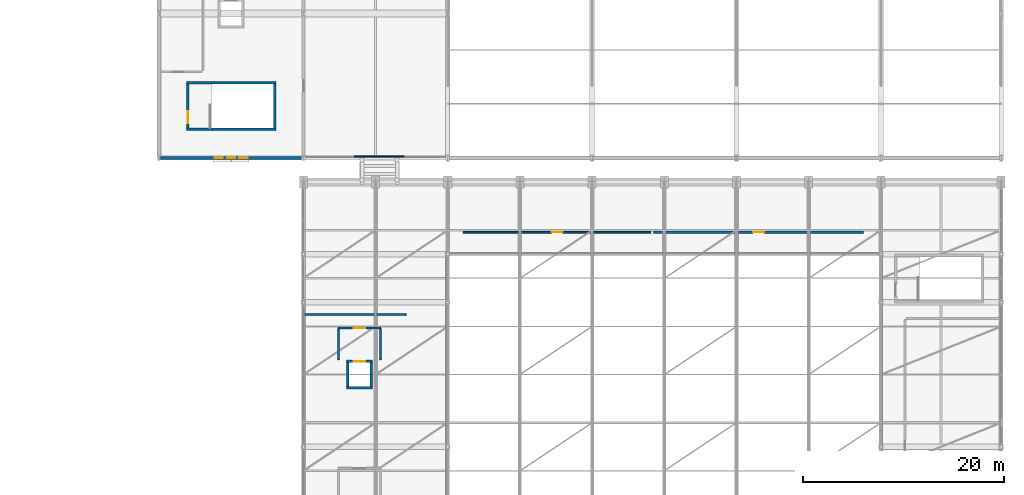
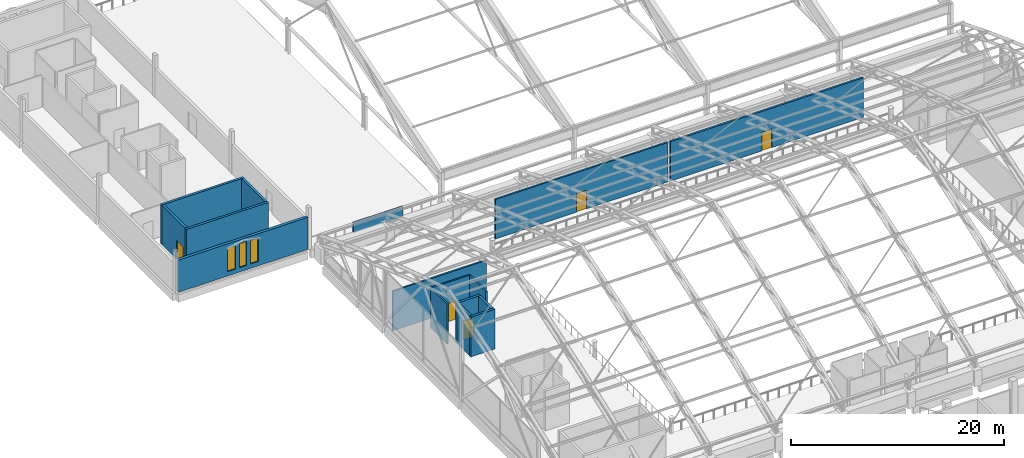
# One storey, part 94 of 116: 16 walls, 5 doors, 3 windows, 8 openings.
"""IFC4 building model written with IfcOpenShell, lengths in metres."""

from ifc_helpers import new_model, si_unit, direction, frame, frame_2d, origin, place, context, subcontext, project, spatial, rectangle, extrude, material, layer, layer_set, type_object, element, fill, save


model = new_model("IFC4")

# Units and contexts
model_context = context("Model", 3, precision=1e-05, world=origin(), true_north=direction((0.0, 1.0)))
body_context = subcontext(model_context, "Body", "Model", "MODEL_VIEW")
ifc_project = project(units=[si_unit("LENGTHUNIT", "METRE"), si_unit("AREAUNIT", "SQUARE_METRE"), si_unit("VOLUMEUNIT", "CUBIC_METRE"), si_unit("PLANEANGLEUNIT", "RADIAN"), si_unit("MASSUNIT", "GRAM", prefix="KILO")], contexts=[model_context])

# Site, building, storey
site_placement = place(None, origin())
site = spatial("IfcSite", under=ifc_project, at=site_placement, CompositionType="ELEMENT")
building_placement = place(site_placement, origin())
building = spatial("IfcBuilding", under=site, at=building_placement, Name="Cendralis Lancet Convention Centre", CompositionType="ELEMENT")
storey_placement = place(building_placement, frame((0.0, 0.0, 15.0)))
storey = spatial("IfcBuildingStorey", under=building, at=storey_placement, Name="L03", CompositionType="ELEMENT", Elevation=15.0)

# Wall
ifc_material_1 = material(Name="Buff sandstone ashlar and Concrete G40 (C40/50)", Category="masonry")
ifc_layer_1 = layer(ifc_material_1, 0.18994140625, Name="Buff sandstone ashlar and Concrete G40 (C40/50)")
ifc_layer_set_1 = layer_set([ifc_layer_1], Name="Buff sandstone ashlar and Concrete G40 (C40/50)")
wall_type_1 = type_object("IfcWallType", Name="ARC-EW-P190", PredefinedType="PARAPET", material=ifc_layer_set_1)
wall_1_placement = place(storey_placement, frame((144.10009765625, 93.75, 0.0), z_axis=(0.0, 0.0, 1.0), x_axis=(1.0, 0.0, 0.0)))
element("IfcWall", 1, at=wall_1_placement, inside=storey, type_object=wall_type_1, Name="L03 Roof Parapet Wall PR-02 #007", PredefinedType="PARAPET", context=body_context, shape_type="SweptSolid", body=[
    extrude(rectangle(XDim=5.39990234375, YDim=0.18994140625, at=frame_2d((2.699951171875, 0.0))), origin(), (0.0, 0.0, 1.0), 1.1201171875),
])

# Wall, openings, windows
ifc_layer_2 = layer(ifc_material_1, 0.300048828125, Name="Buff sandstone ashlar and Concrete G40 (C40/50)")
ifc_layer_set_2 = layer_set([ifc_layer_2], Name="Buff sandstone ashlar and Concrete G40 (C40/50)")
wall_type_2 = type_object("IfcWallType", Name="ARC-EW-W300", PredefinedType="STANDARD", material=ifc_layer_set_2)
wall_2_placement = place(storey_placement, frame((139.0419921875, 93.60009765625, 0.0), z_axis=(0.0, 0.0, 1.0), x_axis=(-1.0, 0.0, 0.0)))
wall_2 = element("IfcWall", 2, at=wall_2_placement, inside=storey, type_object=wall_type_2, Name="L03 V3 Exterior Wall EW-07 #0170", PredefinedType="STANDARD", context=body_context, shape_type="SweptSolid", body=[
    extrude(rectangle(XDim=14.083984375, YDim=0.300048828125, at=frame_2d((7.0419921875, 0.0))), origin(), (0.0, 0.0, 1.0), 3.68505859375),
])
opening_1_placement = place(wall_2_placement, frame((5.382080078125, 0.0, 0.5)))
opening_1 = element("IfcOpeningElement", 3, at=opening_1_placement, cuts=wall_2, Name="Opening WN-15", PredefinedType="OPENING", context=body_context, shape_type="SweptSolid", body=[
    extrude(rectangle(XDim=0.840087890625, YDim=2.699951171875, at=frame_2d((0.419921875, 1.35009765625))), frame((0.0, 0.159912109375, 0.0), z_axis=(0.0, -1.0, 0.0), x_axis=(1.0, 0.0, 0.0)), (0.0, 0.0, 1.0), 0.320068359375),
])
opening_2_placement = place(wall_2_placement, frame((6.64208984375, 0.0, 0.5)))
opening_2 = element("IfcOpeningElement", 4, at=opening_2_placement, cuts=wall_2, Name="Opening WN-07", PredefinedType="OPENING", context=body_context, shape_type="SweptSolid", body=[
    extrude(rectangle(XDim=0.800048828125, YDim=2.75, at=frame_2d((0.39990234375, 1.375))), frame((0.0, 0.159912109375, 0.0), z_axis=(0.0, -1.0, 0.0), x_axis=(1.0, 0.0, 0.0)), (0.0, 0.0, 1.0), 0.320068359375),
])
opening_3_placement = place(wall_2_placement, frame((7.862060546875, 0.0, 0.5)))
opening_3 = element("IfcOpeningElement", 5, at=opening_3_placement, cuts=wall_2, Name="Opening WN-15", PredefinedType="OPENING", context=body_context, shape_type="SweptSolid", body=[
    extrude(rectangle(XDim=0.840087890625, YDim=2.699951171875, at=frame_2d((0.419921875, 1.35009765625))), frame((0.0, 0.159912109375, 0.0), z_axis=(0.0, -1.0, 0.0), x_axis=(1.0, 0.0, 0.0)), (0.0, 0.0, 1.0), 0.320068359375),
])
ifc_material_2 = material(Name="Double-glazed low-E solar-control glass", Category="glass")
window_type_1 = type_object("IfcWindowType", Name="ARC-WN-LW07", PartitioningType="SINGLE_PANEL", PredefinedType="WINDOW", material=ifc_material_2)
window_1_placement = place(opening_2_placement, origin())
window_1 = element("IfcWindow", 6, at=window_1_placement, inside=storey, type_object=window_type_1, Name="Gothic Lancet Window WN-07 #0345", OverallHeight=2.75, OverallWidth=0.800048828125, PartitioningType="SINGLE_PANEL", PredefinedType="WINDOW", context=body_context, shape_type="SweptSolid", body=[
    extrude(rectangle(XDim=0.800048828125, YDim=2.75, at=frame_2d((0.39990234375, 1.375))), frame((0.0, 0.030029296875, 0.0), z_axis=(0.0, -1.0, 0.0), x_axis=(1.0, 0.0, 0.0)), (0.0, 0.0, 1.0), 0.06005859375),
])
fill(opening_2, window_1)
window_type_2 = type_object("IfcWindowType", Name="ARC-WN-LW15", PartitioningType="SINGLE_PANEL", PredefinedType="WINDOW", material=ifc_material_2)
window_2_placement = place(opening_1_placement, origin())
window_2 = element("IfcWindow", 7, at=window_2_placement, inside=storey, type_object=window_type_2, Name="Gothic Lancet Window WN-15 #0344", OverallHeight=2.699951171875, OverallWidth=0.840087890625, PartitioningType="SINGLE_PANEL", PredefinedType="WINDOW", context=body_context, shape_type="SweptSolid", body=[
    extrude(rectangle(XDim=0.840087890625, YDim=2.699951171875, at=frame_2d((0.419921875, 1.35009765625))), frame((0.0, 0.030029296875, 0.0), z_axis=(0.0, -1.0, 0.0), x_axis=(1.0, 0.0, 0.0)), (0.0, 0.0, 1.0), 0.06005859375),
])
fill(opening_1, window_2)
window_3_placement = place(opening_3_placement, origin())
window_3 = element("IfcWindow", 8, at=window_3_placement, inside=storey, type_object=window_type_2, Name="Gothic Lancet Window WN-15 #0346", OverallHeight=2.699951171875, OverallWidth=0.840087890625, PartitioningType="SINGLE_PANEL", PredefinedType="WINDOW", context=body_context, shape_type="SweptSolid", body=[
    extrude(rectangle(XDim=0.840087890625, YDim=2.699951171875, at=frame_2d((0.419921875, 1.35009765625))), frame((0.0, 0.030029296875, 0.0), z_axis=(0.0, -1.0, 0.0), x_axis=(1.0, 0.0, 0.0)), (0.0, 0.0, 1.0), 0.06005859375),
])
fill(opening_3, window_3)

# Wall, opening, door
ifc_material_3 = material(Name="Acoustic fire-rated gypsum board on steel studs", Category="steel")
ifc_layer_3 = layer(ifc_material_3, 0.179931640625, Name="Acoustic fire-rated gypsum board on steel studs")
ifc_layer_set_3 = layer_set([ifc_layer_3], Name="Acoustic fire-rated gypsum board on steel studs")
wall_type_3 = type_object("IfcWallType", Name="ARC-IW-P180", PredefinedType="PARTITIONING", material=ifc_layer_set_3)
wall_3_placement = place(storey_placement, frame((142.699951171875, 76.64990234375, 0.0), z_axis=(0.0, 0.0, 1.0), x_axis=(1.0, 0.0, 0.0)))
wall_3 = element("IfcWall", 9, at=wall_3_placement, inside=storey, type_object=wall_type_3, Name="L03 Lift Lobby LP-06 Front Wall", PredefinedType="PARTITIONING", context=body_context, shape_type="SweptSolid", body=[
    extrude(rectangle(XDim=4.199951171875, YDim=0.179931640625, at=frame_2d((2.10009765625, 0.0))), origin(), (0.0, 0.0, 1.0), 4.550048828125),
])
opening_4_placement = place(wall_3_placement, frame((1.550048828125, 0.0, 0.0)))
opening_4 = element("IfcOpeningElement", 10, at=opening_4_placement, cuts=wall_3, Name="Opening FD-11", PredefinedType="OPENING", context=body_context, shape_type="SweptSolid", body=[
    extrude(rectangle(XDim=1.10009765625, YDim=2.14990234375, at=frame_2d((0.550048828125, 1.074951171875))), frame((0.0, 0.099853515625, 0.0), z_axis=(0.0, -1.0, 0.0), x_axis=(1.0, 0.0, 0.0)), (0.0, 0.0, 1.0), 0.199951171875),
])
ifc_material_4 = material(Name="Steel S355", Category="steel")
door_type_1 = type_object("IfcDoorType", Name="ARC-DR-FF11", OperationType="NOTDEFINED", PredefinedType="DOOR", material=ifc_material_4)
door_1_placement = place(opening_4_placement, origin())
door_1 = element("IfcDoor", 11, at=door_1_placement, inside=storey, type_object=door_type_1, Name="L03-D048 L03 Lift Lobby LP-06 Fire Door", OperationType="SINGLE_SWING_LEFT", OverallHeight=2.14990234375, OverallWidth=1.10009765625, PredefinedType="DOOR", context=body_context, shape_type="SweptSolid", body=[
    extrude(rectangle(XDim=1.10009765625, YDim=2.14990234375, at=frame_2d((0.550048828125, 1.074951171875))), frame((0.0, 0.02490234375, 0.0), z_axis=(0.0, -1.0, 0.0), x_axis=(1.0, 0.0, 0.0)), (0.0, 0.0, 1.0), 0.050048828125),
])
fill(opening_4, door_1)

# Walls
for number, where, z_axis, x_axis, name in (
    (12, (142.699951171875, 73.5, 0.0), (0.0, 0.0, 1.0), (0.0, 1.0, 0.0), "L03 Lift Lobby LP-06 West Wall"),
    (13, (146.89990234375, 73.5, 0.0), (0.0, 0.0, 1.0), (0.0, 1.0, 0.0), "L03 Lift Lobby LP-06 East Wall"),
):
    element("IfcWall", number, at=place(storey_placement, frame(where, z_axis=z_axis, x_axis=x_axis)), inside=storey, type_object=wall_type_3, Name=name, PredefinedType="PARTITIONING", context=body_context, shape_type="SweptSolid", body=[
        extrude(rectangle(XDim=3.050048828125, YDim=0.179931640625, at=frame_2d((1.52490234375, 0.0))), origin(), (0.0, 0.0, 1.0), 4.550048828125),
    ])
wall_4_placement = place(storey_placement, frame((139.280029296875, 78.0, 0.0), z_axis=(0.0, 0.0, 1.0), x_axis=(1.0, 0.0, 0.0)))
element("IfcWall", 14, at=wall_4_placement, inside=storey, type_object=wall_type_3, Name="L03 Interior Partition IW-02 #0119", PredefinedType="PARTITIONING", context=body_context, shape_type="SweptSolid", body=[
    extrude(rectangle(XDim=10.179931640625, YDim=0.179931640625, at=frame_2d((5.08984375, 0.0))), origin(), (0.0, 0.0, 1.0), 4.534912109375),
])

# Wall, opening, door
wall_5_placement = place(storey_placement, frame((155.139892578125, 86.199951171875, 0.0), z_axis=(0.0, 0.0, 1.0), x_axis=(1.0, 0.0, 0.0)))
wall_5 = element("IfcWall", 15, at=wall_5_placement, inside=storey, type_object=wall_type_3, Name="L03 Interior Partition IW-02 #0120", PredefinedType="PARTITIONING", context=body_context, shape_type="SweptSolid", body=[
    extrude(rectangle(XDim=18.72021484375, YDim=0.179931640625, at=frame_2d((9.360107421875, 0.0))), origin(), (0.0, 0.0, 1.0), 4.534912109375),
])
opening_5_placement = place(wall_5_placement, frame((8.81005859375, 0.0, 0.0)))
opening_5 = element("IfcOpeningElement", 16, at=opening_5_placement, cuts=wall_5, Name="Opening FD-11", PredefinedType="OPENING", context=body_context, shape_type="SweptSolid", body=[
    extrude(rectangle(XDim=1.10009765625, YDim=2.14990234375, at=frame_2d((0.550048828125, 1.074951171875))), frame((0.0, 0.099853515625, 0.0), z_axis=(0.0, -1.0, 0.0), x_axis=(1.0, 0.0, 0.0)), (0.0, 0.0, 1.0), 0.199951171875),
])
door_2_placement = place(opening_5_placement, frame((1.10009765625, 0.0, 0.0), z_axis=(0.0, 0.0, 1.0), x_axis=(-1.0, 0.0, 0.0)))
door_2 = element("IfcDoor", 17, at=door_2_placement, inside=storey, type_object=door_type_1, Name="L03-D004 L03 Interior Door FD-11 #0039", OperationType="SINGLE_SWING_LEFT", OverallHeight=2.14990234375, OverallWidth=1.10009765625, PredefinedType="DOOR", context=body_context, shape_type="SweptSolid", body=[
    extrude(rectangle(XDim=1.10009765625, YDim=2.14990234375, at=frame_2d((0.550048828125, 1.074951171875))), frame((0.0, 0.02490234375, 0.0), z_axis=(0.0, -1.0, 0.0), x_axis=(1.0, 0.0, 0.0)), (0.0, 0.0, 1.0), 0.050048828125),
])
fill(opening_5, door_2)

ifc_layer_4 = layer(ifc_material_3, 0.2099609375, Name="Acoustic fire-rated gypsum board on steel studs")
ifc_layer_set_4 = layer_set([ifc_layer_4], Name="Acoustic fire-rated gypsum board on steel studs")
wall_type_4 = type_object("IfcWallType", Name="ARC-IW-P210", PredefinedType="PARTITIONING", material=ifc_layer_set_4)
wall_6_placement = place(storey_placement, frame((174.139892578125, 86.199951171875, 0.0), z_axis=(0.0, 0.0, 1.0), x_axis=(1.0, 0.0, 0.0)))
wall_6 = element("IfcWall", 18, at=wall_6_placement, inside=storey, type_object=wall_type_4, Name="L03 Interior Partition IW-01 #0124", PredefinedType="PARTITIONING", context=body_context, shape_type="SweptSolid", body=[
    extrude(rectangle(XDim=20.920166015625, YDim=0.2099609375, at=frame_2d((10.4599609375, 0.0))), origin(), (0.0, 0.0, 1.0), 4.534912109375),
])
opening_6_placement = place(wall_6_placement, frame((9.909912109375, 0.0, 0.0)))
opening_6 = element("IfcOpeningElement", 19, at=opening_6_placement, cuts=wall_6, Name="Opening FD-11", PredefinedType="OPENING", context=body_context, shape_type="SweptSolid", body=[
    extrude(rectangle(XDim=1.10009765625, YDim=2.14990234375, at=frame_2d((0.550048828125, 1.074951171875))), frame((0.0, 0.114990234375, 0.0), z_axis=(0.0, -1.0, 0.0), x_axis=(1.0, 0.0, 0.0)), (0.0, 0.0, 1.0), 0.22998046875),
])
door_3_placement = place(opening_6_placement, frame((1.10009765625, 0.0, 0.0), z_axis=(0.0, 0.0, 1.0), x_axis=(-1.0, 0.0, 0.0)))
door_3 = element("IfcDoor", 20, at=door_3_placement, inside=storey, type_object=door_type_1, Name="L03-D006 L03 Interior Door FD-11 #0041", OperationType="SINGLE_SWING_LEFT", OverallHeight=2.14990234375, OverallWidth=1.10009765625, PredefinedType="DOOR", context=body_context, shape_type="SweptSolid", body=[
    extrude(rectangle(XDim=1.10009765625, YDim=2.14990234375, at=frame_2d((0.550048828125, 1.074951171875))), frame((0.0, 0.02490234375, 0.0), z_axis=(0.0, -1.0, 0.0), x_axis=(1.0, 0.0, 0.0)), (0.0, 0.0, 1.0), 0.050048828125),
])
fill(opening_6, door_3)

ifc_material_5 = material(Name="Concrete G40 (C40/50)", Category="concrete")
ifc_layer_5 = layer(ifc_material_5, 0.25, Name="Concrete G40 (C40/50)")
ifc_layer_set_5 = layer_set([ifc_layer_5], Name="Concrete G40 (C40/50)")
wall_type_5 = type_object("IfcWallType", Name="STR-SW-CW250", PredefinedType="SHEAR", material=ifc_layer_set_5)
wall_7_placement = place(storey_placement, frame((127.675048828125, 96.60009765625, 0.0), z_axis=(0.0, 0.0, 1.0), x_axis=(0.0, 1.0, 0.0)))
wall_7 = element("IfcWall", 21, at=wall_7_placement, inside=storey, type_object=wall_type_5, Name="L03 Stair Core ST-07 West Shear Wall", PredefinedType="SHEAR", context=body_context, shape_type="SweptSolid", body=[
    extrude(rectangle(XDim=4.3798828125, YDim=0.25, at=frame_2d((2.18994140625, 0.0))), origin(), (0.0, 0.0, 1.0), 4.550048828125),
])
opening_7_placement = place(wall_7_placement, frame((0.449951171875, 0.0, 0.0)))
opening_7 = element("IfcOpeningElement", 22, at=opening_7_placement, cuts=wall_7, Name="Opening SD-12", PredefinedType="OPENING", context=body_context, shape_type="SweptSolid", body=[
    extrude(rectangle(XDim=1.199951171875, YDim=2.14990234375, at=frame_2d((0.60009765625, 1.074951171875))), frame((0.0, 0.135009765625, 0.0), z_axis=(0.0, -1.0, 0.0), x_axis=(1.0, 0.0, 0.0)), (0.0, 0.0, 1.0), 0.27001953125),
])
door_type_2 = type_object("IfcDoorType", Name="ARC-DR-ST12", OperationType="NOTDEFINED", PredefinedType="DOOR", material=ifc_material_4)
door_4_placement = place(opening_7_placement, frame((1.199951171875, 0.0, 0.0), z_axis=(0.0, 0.0, 1.0), x_axis=(-1.0, 0.0, 0.0)))
door_4 = element("IfcDoor", 23, at=door_4_placement, inside=storey, type_object=door_type_2, Name="L03-D051 L03 Exit Stair ST-07 Fire Door", OperationType="SINGLE_SWING_RIGHT", OverallHeight=2.14990234375, OverallWidth=1.199951171875, PredefinedType="DOOR", context=body_context, shape_type="SweptSolid", body=[
    extrude(rectangle(XDim=1.199951171875, YDim=2.14990234375, at=frame_2d((0.60009765625, 1.074951171875))), frame((0.0, 0.02490234375, 0.0), z_axis=(0.0, -1.0, 0.0), x_axis=(1.0, 0.0, 0.0)), (0.0, 0.0, 1.0), 0.050048828125),
])
fill(opening_7, door_4)

# Walls
wall_8_placement = place(storey_placement, frame((136.324951171875, 96.60009765625, 0.0), z_axis=(0.0, 0.0, 1.0), x_axis=(0.0, 1.0, 0.0)))
element("IfcWall", 24, at=wall_8_placement, inside=storey, type_object=wall_type_5, Name="L03 Stair Core ST-07 East Shear Wall", PredefinedType="SHEAR", context=body_context, shape_type="SweptSolid", body=[
    extrude(rectangle(XDim=4.3798828125, YDim=0.25, at=frame_2d((2.18994140625, 0.0))), origin(), (0.0, 0.0, 1.0), 4.550048828125),
])
for number, where, z_axis, x_axis, name in (
    (25, (127.550048828125, 96.47509765625, 0.0), (0.0, 0.0, 1.0), (1.0, 0.0, 0.0), "L03 Stair Core ST-07 South Shear Wall"),
    (26, (127.550048828125, 101.10498046875, 0.0), (0.0, 0.0, 1.0), (1.0, 0.0, 0.0), "L03 Stair Core ST-07 North Shear Wall"),
):
    element("IfcWall", number, at=place(storey_placement, frame(where, z_axis=z_axis, x_axis=x_axis)), inside=storey, type_object=wall_type_5, Name=name, PredefinedType="SHEAR", context=body_context, shape_type="SweptSolid", body=[
        extrude(rectangle(XDim=8.89990234375, YDim=0.25, at=frame_2d((4.449951171875, 0.0))), origin(), (0.0, 0.0, 1.0), 4.550048828125),
    ])
wall_9_placement = place(storey_placement, frame((143.5, 70.675048828125, 0.0), z_axis=(0.0, 0.0, 1.0), x_axis=(1.0, 0.0, 0.0)))
element("IfcWall", 27, at=wall_9_placement, inside=storey, type_object=wall_type_5, Name="L03 Lift LP-06 South Shaft Wall", PredefinedType="SHEAR", context=body_context, shape_type="SweptSolid", body=[
    extrude(rectangle(XDim=2.60009765625, YDim=0.25, at=frame_2d((1.300048828125, 0.0))), origin(), (0.0, 0.0, 1.0), 4.550048828125),
])

# Wall, opening, door
wall_10_placement = place(storey_placement, frame((143.5, 73.324951171875, 0.0), z_axis=(0.0, 0.0, 1.0), x_axis=(1.0, 0.0, 0.0)))
wall_10 = element("IfcWall", 28, at=wall_10_placement, inside=storey, type_object=wall_type_5, Name="L03 Lift LP-06 North Shaft Wall", PredefinedType="SHEAR", context=body_context, shape_type="SweptSolid", body=[
    extrude(rectangle(XDim=2.60009765625, YDim=0.25, at=frame_2d((1.300048828125, 0.0))), origin(), (0.0, 0.0, 1.0), 4.550048828125),
])
opening_8_placement = place(wall_10_placement, frame((0.75, 0.0, 0.0)))
opening_8 = element("IfcOpeningElement", 29, at=opening_8_placement, cuts=wall_10, Name="Opening LD-11", PredefinedType="OPENING", context=body_context, shape_type="SweptSolid", body=[
    extrude(rectangle(XDim=1.10009765625, YDim=2.14990234375, at=frame_2d((0.550048828125, 1.074951171875))), frame((0.0, 0.135009765625, 0.0), z_axis=(0.0, -1.0, 0.0), x_axis=(1.0, 0.0, 0.0)), (0.0, 0.0, 1.0), 0.27001953125),
])
ifc_material_6 = material(Name="Anodised bronze architectural aluminium", Category="aluminium")
door_type_3 = type_object("IfcDoorType", Name="ARC-DR-LD11", OperationType="NOTDEFINED", PredefinedType="DOOR", material=ifc_material_6)
door_5_placement = place(opening_8_placement, origin())
door_5 = element("IfcDoor", 30, at=door_5_placement, inside=storey, type_object=door_type_3, Name="L03-D037 L03 Lift LP-06 Sliding Landing Door", OperationType="SLIDING_TO_RIGHT", OverallHeight=2.14990234375, OverallWidth=1.10009765625, PredefinedType="DOOR", context=body_context, shape_type="SweptSolid", body=[
    extrude(rectangle(XDim=1.10009765625, YDim=2.14990234375, at=frame_2d((0.550048828125, 1.074951171875))), frame((0.0, 0.02490234375, 0.0), z_axis=(0.0, -1.0, 0.0), x_axis=(1.0, 0.0, 0.0)), (0.0, 0.0, 1.0), 0.050048828125),
])
fill(opening_8, door_5)

# Walls
for number, where, z_axis, x_axis, name in (
    (31, (143.625, 70.800048828125, 0.0), (0.0, 0.0, 1.0), (0.0, 1.0, 0.0), "L03 Lift LP-06 West Shaft Wall"),
    (32, (145.97509765625, 70.800048828125, 0.0), (0.0, 0.0, 1.0), (0.0, 1.0, 0.0), "L03 Lift LP-06 East Shaft Wall"),
):
    element("IfcWall", number, at=place(storey_placement, frame(where, z_axis=z_axis, x_axis=x_axis)), inside=storey, type_object=wall_type_5, Name=name, PredefinedType="SHEAR", context=body_context, shape_type="SweptSolid", body=[
        extrude(rectangle(XDim=2.39990234375, YDim=0.25, at=frame_2d((1.199951171875, 0.0))), origin(), (0.0, 0.0, 1.0), 4.550048828125),
    ])

save(model, "model.ifc")
